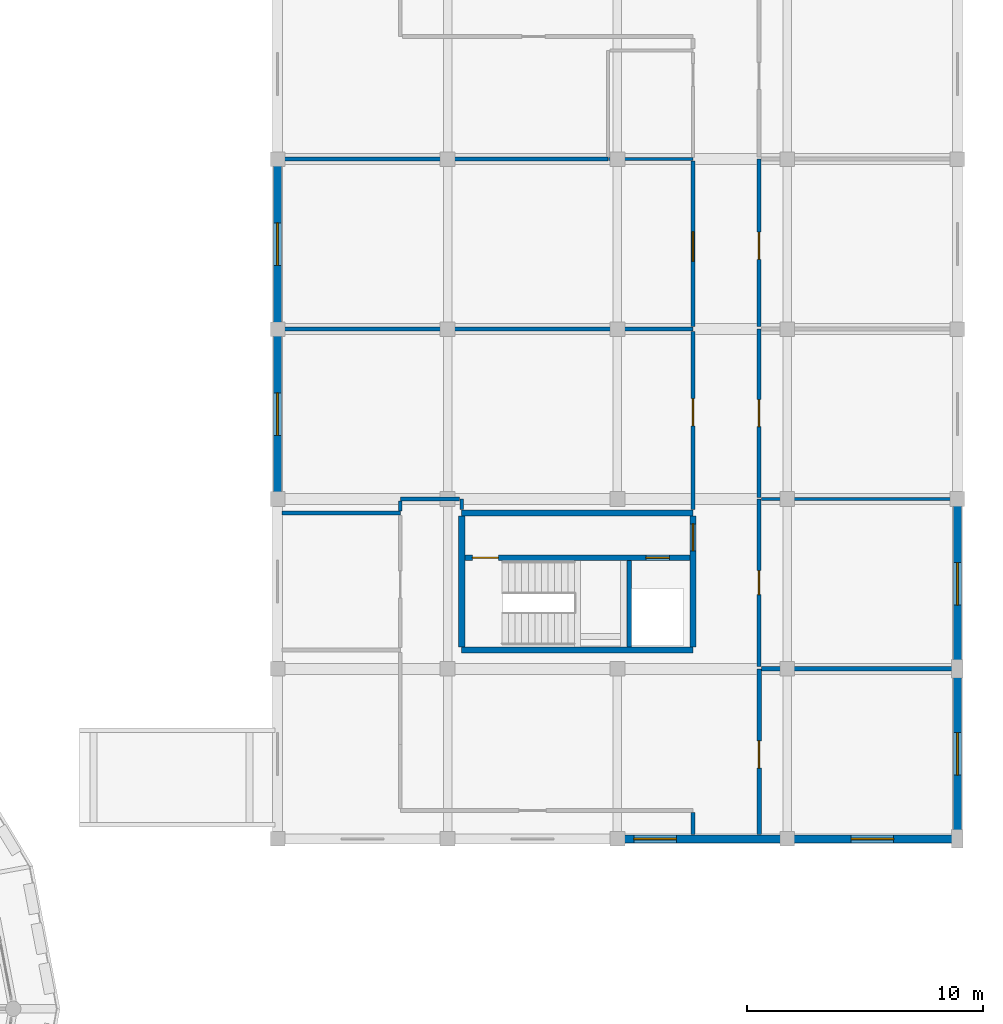
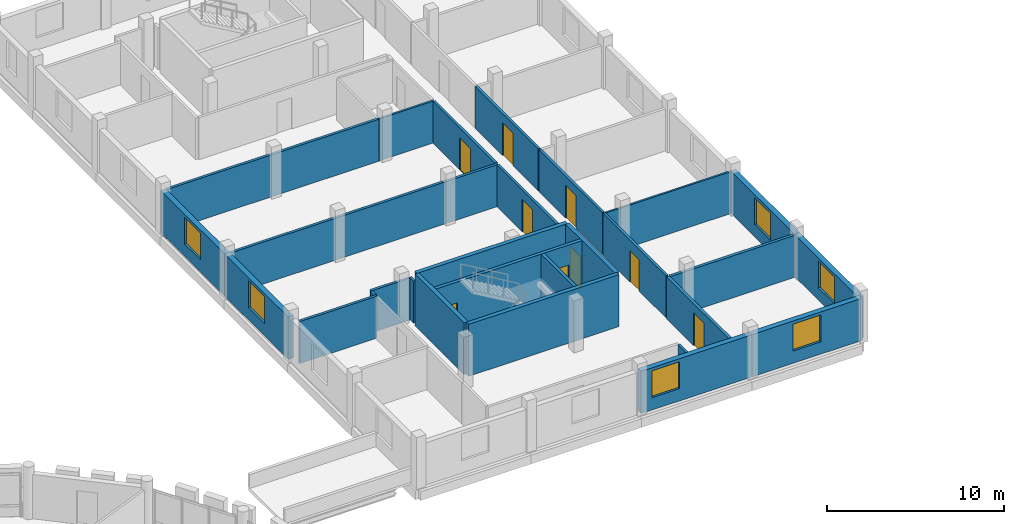
# One storey, part 82 of 93: 28 walls, 9 doors, 6 windows, 15 openings.
"""IFC4 building model written with IfcOpenShell, lengths in metres."""

from ifc_helpers import new_model, si_unit, direction, frame, frame_2d, origin, place, context, subcontext, project, spatial, rectangle, extrude, material, layer, layer_set, type_object, element, fill, save


model = new_model("IFC4")

# Units and contexts
model_context = context("Model", 3, precision=1e-05, world=origin(), true_north=direction((0.0, 1.0)))
body_context = subcontext(model_context, "Body", "Model", "MODEL_VIEW")
ifc_project = project(units=[si_unit("LENGTHUNIT", "METRE"), si_unit("AREAUNIT", "SQUARE_METRE"), si_unit("VOLUMEUNIT", "CUBIC_METRE"), si_unit("PLANEANGLEUNIT", "RADIAN"), si_unit("MASSUNIT", "GRAM", prefix="KILO")], contexts=[model_context])

# Site, building, storey
site_placement = place(None, origin())
site = spatial("IfcSite", under=ifc_project, at=site_placement, CompositionType="ELEMENT")
building_placement = place(site_placement, origin())
building = spatial("IfcBuilding", under=site, at=building_placement, Name="Zornivar Specialist Clinic", CompositionType="ELEMENT")
storey_placement = place(building_placement, frame((0.0, 0.0, 8.39990234375)))
storey = spatial("IfcBuildingStorey", under=building, at=storey_placement, Name="L02", CompositionType="ELEMENT", Elevation=8.39990234375)

# Wall, opening, window
ifc_material_1 = material(Name="Masonry Laboratory Terracotta and Stone Cavity Wall", Category="masonry")
ifc_layer_1 = layer(ifc_material_1, 0.340087890625)
ifc_layer_set_1 = layer_set([ifc_layer_1], Name="Masonry Laboratory Terracotta and Stone Cavity Wall")
wall_type_1 = type_object("IfcWallType", Name="EW-LAB-340", PredefinedType="SOLIDWALL", material=ifc_layer_set_1)
wall_1_placement = place(storey_placement, frame((151.199951171875, 64.800048828125, 0.0), z_axis=(0.0, 0.0, 1.0), x_axis=(1.0, 0.0, 0.0)))
wall_1 = element("IfcWall", 1, at=wall_1_placement, inside=storey, type_object=wall_type_1, Name="ew:V6:L02:02", PredefinedType="SOLIDWALL", context=body_context, shape_type="SweptSolid", body=[
    extrude(rectangle(XDim=7.199951171875, YDim=0.340087890625, at=frame_2d((3.60009765625, 0.0))), origin(), (0.0, 0.0, 1.0), 2.91015625),
])
opening_1_placement = place(wall_1_placement, frame((0.699951171875, 0.0, 0.85009765625)))
opening_1 = element("IfcOpeningElement", 2, at=opening_1_placement, cuts=wall_1, Name="Opening W-20", PredefinedType="OPENING", context=body_context, shape_type="SweptSolid", body=[
    extrude(rectangle(XDim=1.800048828125, YDim=1.85009765625, at=frame_2d((0.89990234375, 0.925048828125))), frame((0.0, 0.179931640625, 0.0), z_axis=(0.0, -1.0, 0.0), x_axis=(1.0, 0.0, 0.0)), (0.0, 0.0, 1.0), 0.360107421875),
])
ifc_material_2 = material(Name="Triple-Glazed Aluminium-Timber Window Glass", Category="wood")
window_type = type_object("IfcWindowType", Name="WIN-LAB-LOWER-1800x1850", PartitioningType="SINGLE_PANEL", PredefinedType="WINDOW", material=ifc_material_2)
window_1_placement = place(opening_1_placement, origin())
window_1 = element("IfcWindow", 3, at=window_1_placement, inside=storey, type_object=window_type, Name="win:V6:L02:02", OverallHeight=1.85009765625, OverallWidth=1.800048828125, PartitioningType="SINGLE_PANEL", PredefinedType="WINDOW", context=body_context, shape_type="SweptSolid", body=[
    extrude(rectangle(XDim=1.800048828125, YDim=1.85009765625, at=frame_2d((0.89990234375, 0.925048828125))), frame((0.0, 0.030029296875, 0.0), z_axis=(0.0, -1.0, 0.0), x_axis=(1.0, 0.0, 0.0)), (0.0, 0.0, 1.0), 0.06005859375),
])
fill(opening_1, window_1)

wall_2_placement = place(storey_placement, frame((158.39990234375, 64.800048828125, 0.0), z_axis=(0.0, 0.0, 1.0), x_axis=(1.0, 0.0, 0.0)))
wall_2 = element("IfcWall", 4, at=wall_2_placement, inside=storey, type_object=wall_type_1, Name="ew:V6:L02:03", PredefinedType="SOLIDWALL", context=body_context, shape_type="SweptSolid", body=[
    extrude(rectangle(XDim=7.2001953125, YDim=0.340087890625, at=frame_2d((3.60009765625, 0.0))), origin(), (0.0, 0.0, 1.0), 2.91015625),
])
opening_2_placement = place(wall_2_placement, frame((2.699951171875, 0.0, 0.85009765625)))
opening_2 = element("IfcOpeningElement", 5, at=opening_2_placement, cuts=wall_2, Name="Opening W-20", PredefinedType="OPENING", context=body_context, shape_type="SweptSolid", body=[
    extrude(rectangle(XDim=1.800048828125, YDim=1.85009765625, at=frame_2d((0.89990234375, 0.925048828125))), frame((0.0, 0.179931640625, 0.0), z_axis=(0.0, -1.0, 0.0), x_axis=(1.0, 0.0, 0.0)), (0.0, 0.0, 1.0), 0.360107421875),
])
window_2_placement = place(opening_2_placement, origin())
window_2 = element("IfcWindow", 6, at=window_2_placement, inside=storey, type_object=window_type, Name="win:V6:L02:03", OverallHeight=1.85009765625, OverallWidth=1.800048828125, PartitioningType="SINGLE_PANEL", PredefinedType="WINDOW", context=body_context, shape_type="SweptSolid", body=[
    extrude(rectangle(XDim=1.800048828125, YDim=1.85009765625, at=frame_2d((0.89990234375, 0.925048828125))), frame((0.0, 0.030029296875, 0.0), z_axis=(0.0, -1.0, 0.0), x_axis=(1.0, 0.0, 0.0)), (0.0, 0.0, 1.0), 0.06005859375),
])
fill(opening_2, window_2)

wall_3_placement = place(storey_placement, frame((165.60009765625, 64.800048828125, 0.0), z_axis=(0.0, 0.0, 1.0), x_axis=(0.0, 1.0, 0.0)))
wall_3 = element("IfcWall", 7, at=wall_3_placement, inside=storey, type_object=wall_type_1, Name="ew:V6:L02:04", PredefinedType="SOLIDWALL", context=body_context, shape_type="SweptSolid", body=[
    extrude(rectangle(XDim=7.199951171875, YDim=0.340087890625, at=frame_2d((3.60009765625, 0.0))), origin(), (0.0, 0.0, 1.0), 2.91015625),
])
opening_3_placement = place(wall_3_placement, frame((2.699951171875, 0.0, 0.85009765625)))
opening_3 = element("IfcOpeningElement", 8, at=opening_3_placement, cuts=wall_3, Name="Opening W-20", PredefinedType="OPENING", context=body_context, shape_type="SweptSolid", body=[
    extrude(rectangle(XDim=1.800048828125, YDim=1.85009765625, at=frame_2d((0.89990234375, 0.925048828125))), frame((0.0, 0.179931640625, 0.0), z_axis=(0.0, -1.0, 0.0), x_axis=(1.0, 0.0, 0.0)), (0.0, 0.0, 1.0), 0.360107421875),
])
window_3_placement = place(opening_3_placement, origin())
window_3 = element("IfcWindow", 9, at=window_3_placement, inside=storey, type_object=window_type, Name="win:V6:L02:04", OverallHeight=1.85009765625, OverallWidth=1.800048828125, PartitioningType="SINGLE_PANEL", PredefinedType="WINDOW", context=body_context, shape_type="SweptSolid", body=[
    extrude(rectangle(XDim=1.800048828125, YDim=1.85009765625, at=frame_2d((0.89990234375, 0.925048828125))), frame((0.0, 0.030029296875, 0.0), z_axis=(0.0, -1.0, 0.0), x_axis=(1.0, 0.0, 0.0)), (0.0, 0.0, 1.0), 0.06005859375),
])
fill(opening_3, window_3)

wall_4_placement = place(storey_placement, frame((165.60009765625, 72.0, 0.0), z_axis=(0.0, 0.0, 1.0), x_axis=(0.0, 1.0, 0.0)))
wall_4 = element("IfcWall", 10, at=wall_4_placement, inside=storey, type_object=wall_type_1, Name="ew:V6:L02:05", PredefinedType="SOLIDWALL", context=body_context, shape_type="SweptSolid", body=[
    extrude(rectangle(XDim=7.199951171875, YDim=0.340087890625, at=frame_2d((3.60009765625, 0.0))), origin(), (0.0, 0.0, 1.0), 2.91015625),
])
opening_4_placement = place(wall_4_placement, frame((2.699951171875, 0.0, 0.85009765625)))
opening_4 = element("IfcOpeningElement", 11, at=opening_4_placement, cuts=wall_4, Name="Opening W-20", PredefinedType="OPENING", context=body_context, shape_type="SweptSolid", body=[
    extrude(rectangle(XDim=1.800048828125, YDim=1.85009765625, at=frame_2d((0.89990234375, 0.925048828125))), frame((0.0, 0.179931640625, 0.0), z_axis=(0.0, -1.0, 0.0), x_axis=(1.0, 0.0, 0.0)), (0.0, 0.0, 1.0), 0.360107421875),
])
window_4_placement = place(opening_4_placement, origin())
window_4 = element("IfcWindow", 12, at=window_4_placement, inside=storey, type_object=window_type, Name="win:V6:L02:05", OverallHeight=1.85009765625, OverallWidth=1.800048828125, PartitioningType="SINGLE_PANEL", PredefinedType="WINDOW", context=body_context, shape_type="SweptSolid", body=[
    extrude(rectangle(XDim=1.800048828125, YDim=1.85009765625, at=frame_2d((0.89990234375, 0.925048828125))), frame((0.0, 0.030029296875, 0.0), z_axis=(0.0, -1.0, 0.0), x_axis=(1.0, 0.0, 0.0)), (0.0, 0.0, 1.0), 0.06005859375),
])
fill(opening_4, window_4)

wall_5_placement = place(storey_placement, frame((136.800048828125, 93.60009765625, 0.0), z_axis=(0.0, 0.0, 1.0), x_axis=(0.0, -1.0, 0.0)))
wall_5 = element("IfcWall", 13, at=wall_5_placement, inside=storey, type_object=wall_type_1, Name="ew:V6:L02:18", PredefinedType="SOLIDWALL", context=body_context, shape_type="SweptSolid", body=[
    extrude(rectangle(XDim=7.2001953125, YDim=0.340087890625, at=frame_2d((3.60009765625, 0.0))), origin(), (0.0, 0.0, 1.0), 2.91015625),
])
opening_5_placement = place(wall_5_placement, frame((2.699951171875, 0.0, 0.85009765625)))
opening_5 = element("IfcOpeningElement", 14, at=opening_5_placement, cuts=wall_5, Name="Opening W-20", PredefinedType="OPENING", context=body_context, shape_type="SweptSolid", body=[
    extrude(rectangle(XDim=1.800048828125, YDim=1.85009765625, at=frame_2d((0.89990234375, 0.925048828125))), frame((0.0, 0.179931640625, 0.0), z_axis=(0.0, -1.0, 0.0), x_axis=(1.0, 0.0, 0.0)), (0.0, 0.0, 1.0), 0.360107421875),
])
window_5_placement = place(opening_5_placement, origin())
window_5 = element("IfcWindow", 15, at=window_5_placement, inside=storey, type_object=window_type, Name="win:V6:L02:18", OverallHeight=1.85009765625, OverallWidth=1.800048828125, PartitioningType="SINGLE_PANEL", PredefinedType="WINDOW", context=body_context, shape_type="SweptSolid", body=[
    extrude(rectangle(XDim=1.800048828125, YDim=1.85009765625, at=frame_2d((0.89990234375, 0.925048828125))), frame((0.0, 0.030029296875, 0.0), z_axis=(0.0, -1.0, 0.0), x_axis=(1.0, 0.0, 0.0)), (0.0, 0.0, 1.0), 0.06005859375),
])
fill(opening_5, window_5)

wall_6_placement = place(storey_placement, frame((136.800048828125, 86.39990234375, 0.0), z_axis=(0.0, 0.0, 1.0), x_axis=(0.0, -1.0, 0.0)))
wall_6 = element("IfcWall", 16, at=wall_6_placement, inside=storey, type_object=wall_type_1, Name="ew:V6:L02:19", PredefinedType="SOLIDWALL", context=body_context, shape_type="SweptSolid", body=[
    extrude(rectangle(XDim=7.199951171875, YDim=0.340087890625, at=frame_2d((3.60009765625, 0.0))), origin(), (0.0, 0.0, 1.0), 2.91015625),
])
opening_6_placement = place(wall_6_placement, frame((2.699951171875, 0.0, 0.85009765625)))
opening_6 = element("IfcOpeningElement", 17, at=opening_6_placement, cuts=wall_6, Name="Opening W-20", PredefinedType="OPENING", context=body_context, shape_type="SweptSolid", body=[
    extrude(rectangle(XDim=1.800048828125, YDim=1.85009765625, at=frame_2d((0.89990234375, 0.925048828125))), frame((0.0, 0.179931640625, 0.0), z_axis=(0.0, -1.0, 0.0), x_axis=(1.0, 0.0, 0.0)), (0.0, 0.0, 1.0), 0.360107421875),
])
window_6_placement = place(opening_6_placement, origin())
window_6 = element("IfcWindow", 18, at=window_6_placement, inside=storey, type_object=window_type, Name="win:V6:L02:19", OverallHeight=1.85009765625, OverallWidth=1.800048828125, PartitioningType="SINGLE_PANEL", PredefinedType="WINDOW", context=body_context, shape_type="SweptSolid", body=[
    extrude(rectangle(XDim=1.800048828125, YDim=1.85009765625, at=frame_2d((0.89990234375, 0.925048828125))), frame((0.0, 0.030029296875, 0.0), z_axis=(0.0, -1.0, 0.0), x_axis=(1.0, 0.0, 0.0)), (0.0, 0.0, 1.0), 0.06005859375),
])
fill(opening_6, window_6)

# Walls
ifc_material_3 = material(Name="Gypsum Fire-Rated Double Stud Partition")
ifc_layer_2 = layer(ifc_material_3, 0.159912109375)
ifc_layer_set_2 = layer_set([ifc_layer_2], Name="Gypsum Fire-Rated Double Stud Partition")
wall_type_2 = type_object("IfcWallType", Name="IW-CORR-EI60-160", PredefinedType="PARTITIONING", material=ifc_layer_set_2)
wall_7_placement = place(storey_placement, frame((154.39990234375, 65.906005859375, 0.0), z_axis=(0.0, 0.0, 1.0), x_axis=(0.0, -1.0, 0.0)))
element("IfcWall", 19, at=wall_7_placement, inside=storey, type_object=wall_type_2, Name="iw:L02:134", PredefinedType="PARTITIONING", context=body_context, shape_type="SweptSolid", body=[
    extrude(rectangle(XDim=0.9208984375, YDim=0.159912109375, at=frame_2d((0.46044921875, 0.0))), origin(), (0.0, 0.0, 1.0), 2.89013671875),
])
wall_8_placement = place(storey_placement, frame((144.60009765625, 78.7451171875, 0.0), z_axis=(0.0, 0.0, 1.0), x_axis=(0.0, 1.0, 0.0)))
element("IfcWall", 20, at=wall_8_placement, inside=storey, type_object=wall_type_2, Name="iw:L02:140", PredefinedType="PARTITIONING", context=body_context, shape_type="SweptSolid", body=[
    extrude(rectangle(XDim=0.454833984375, YDim=0.159912109375, at=frame_2d((0.2275390625, 0.0))), origin(), (0.0, 0.0, 1.0), 2.89013671875),
])
wall_9_placement = place(storey_placement, frame((144.506103515625, 79.199951171875, 0.0), z_axis=(0.0, 0.0, 1.0), x_axis=(-1.0, 0.0, 0.0)))
element("IfcWall", 21, at=wall_9_placement, inside=storey, type_object=wall_type_2, Name="iw:L02:141", PredefinedType="PARTITIONING", context=body_context, shape_type="SweptSolid", body=[
    extrude(rectangle(XDim=2.506103515625, YDim=0.159912109375, at=frame_2d((1.2529296875, 0.0))), origin(), (0.0, 0.0, 1.0), 2.89013671875),
])
wall_10_placement = place(storey_placement, frame((142.0, 79.10595703125, 0.0), z_axis=(0.0, 0.0, 1.0), x_axis=(0.0, -1.0, 0.0)))
element("IfcWall", 22, at=wall_10_placement, inside=storey, type_object=wall_type_2, Name="iw:L02:142", PredefinedType="PARTITIONING", context=body_context, shape_type="SweptSolid", body=[
    extrude(rectangle(XDim=0.406982421875, YDim=0.159912109375, at=frame_2d((0.20361328125, 0.0))), origin(), (0.0, 0.0, 1.0), 2.89013671875),
])

# Wall, opening, door
wall_11_placement = place(storey_placement, frame((154.39990234375, 86.301025390625, 0.0), z_axis=(0.0, 0.0, 1.0), x_axis=(0.0, -1.0, 0.0)))
wall_11 = element("IfcWall", 23, at=wall_11_placement, inside=storey, type_object=wall_type_2, Name="iw:L02:144", PredefinedType="PARTITIONING", context=body_context, shape_type="SweptSolid", body=[
    extrude(rectangle(XDim=7.555908203125, YDim=0.159912109375, at=frame_2d((3.77783203125, 0.0))), origin(), (0.0, 0.0, 1.0), 2.89013671875),
])
opening_7_placement = place(wall_11_placement, frame((2.847900390625, 0.0, 0.0)))
opening_7 = element("IfcOpeningElement", 24, at=opening_7_placement, cuts=wall_11, Name="Opening ID-06", PredefinedType="OPENING", context=body_context, shape_type="SweptSolid", body=[
    extrude(rectangle(XDim=1.14990234375, YDim=2.25, at=frame_2d((0.574951171875, 1.125))), frame((0.0, 0.08984375, 0.0), z_axis=(0.0, -1.0, 0.0), x_axis=(1.0, 0.0, 0.0)), (0.0, 0.0, 1.0), 0.179931640625),
])
ifc_material_4 = material(Name="Solid-Core Hygienic Laminate Timber Door", Category="wood")
door_type_1 = type_object("IfcDoorType", Name="ID-LAB-1150x2250", OperationType="NOTDEFINED", PredefinedType="DOOR", material=ifc_material_4)
door_1_placement = place(opening_7_placement, origin())
door_1 = element("IfcDoor", 25, at=door_1_placement, inside=storey, type_object=door_type_1, Name="door:space:V6:L02:rm:02", OperationType="SINGLE_SWING_RIGHT", OverallHeight=2.25, OverallWidth=1.14990234375, PredefinedType="DOOR", context=body_context, shape_type="SweptSolid", body=[
    extrude(rectangle(XDim=1.14990234375, YDim=2.25, at=frame_2d((0.574951171875, 1.125))), frame((0.0, 0.02490234375, 0.0), z_axis=(0.0, -1.0, 0.0), x_axis=(1.0, 0.0, 0.0)), (0.0, 0.0, 1.0), 0.050048828125),
])
fill(opening_7, door_1)

wall_12_placement = place(storey_placement, frame((154.39990234375, 93.52099609375, 0.0), z_axis=(0.0, 0.0, 1.0), x_axis=(0.0, -1.0, 0.0)))
wall_12 = element("IfcWall", 26, at=wall_12_placement, inside=storey, type_object=wall_type_2, Name="iw:L02:147", PredefinedType="PARTITIONING", context=body_context, shape_type="SweptSolid", body=[
    extrude(rectangle(XDim=7.02197265625, YDim=0.159912109375, at=frame_2d((3.510986328125, 0.0))), origin(), (0.0, 0.0, 1.0), 2.89013671875),
])
opening_8_placement = place(wall_12_placement, frame((3.0009765625, 0.0, 0.0)))
opening_8 = element("IfcOpeningElement", 27, at=opening_8_placement, cuts=wall_12, Name="Opening FD-06", PredefinedType="OPENING", context=body_context, shape_type="SweptSolid", body=[
    extrude(rectangle(XDim=1.25, YDim=2.199951171875, at=frame_2d((0.625, 1.10009765625))), frame((0.0, 0.08984375, 0.0), z_axis=(0.0, -1.0, 0.0), x_axis=(1.0, 0.0, 0.0)), (0.0, 0.0, 1.0), 0.179931640625),
])
ifc_material_5 = material(Name="Solid-Core Hygienic Laminate Timber Door", Category="wood")
door_type_2 = type_object("IfcDoorType", Name="FD-PHARM-GMP-1250x2200", OperationType="NOTDEFINED", PredefinedType="DOOR", material=ifc_material_5)
door_2_placement = place(opening_8_placement, origin())
door_2 = element("IfcDoor", 28, at=door_2_placement, inside=storey, type_object=door_type_2, Name="door:space:V6:L02:rm:03", OperationType="SINGLE_SWING_LEFT", OverallHeight=2.199951171875, OverallWidth=1.25, PredefinedType="DOOR", context=body_context, shape_type="SweptSolid", body=[
    extrude(rectangle(XDim=1.25, YDim=2.199951171875, at=frame_2d((0.625, 1.10009765625))), frame((0.0, 0.02490234375, 0.0), z_axis=(0.0, -1.0, 0.0), x_axis=(1.0, 0.0, 0.0)), (0.0, 0.0, 1.0), 0.050048828125),
])
fill(opening_8, door_2)

wall_13_placement = place(storey_placement, frame((157.199951171875, 72.10888671875, 0.0), z_axis=(0.0, 0.0, 1.0), x_axis=(0.0, 1.0, 0.0)))
wall_13 = element("IfcWall", 29, at=wall_13_placement, inside=storey, type_object=wall_type_2, Name="iw:L02:163", PredefinedType="PARTITIONING", context=body_context, shape_type="SweptSolid", body=[
    extrude(rectangle(XDim=7.091064453125, YDim=0.159912109375, at=frame_2d((3.54541015625, 0.0))), origin(), (0.0, 0.0, 1.0), 2.89013671875),
])
opening_9_placement = place(wall_13_placement, frame((3.035888671875, 0.0, 0.0)))
opening_9 = element("IfcOpeningElement", 30, at=opening_9_placement, cuts=wall_13, Name="Opening ID-14", PredefinedType="OPENING", context=body_context, shape_type="SweptSolid", body=[
    extrude(rectangle(XDim=1.02001953125, YDim=2.14990234375, at=frame_2d((0.510009765625, 1.074951171875))), frame((0.0, 0.08984375, 0.0), z_axis=(0.0, -1.0, 0.0), x_axis=(1.0, 0.0, 0.0)), (0.0, 0.0, 1.0), 0.179931640625),
])
ifc_material_6 = material(Name="Solid-Core Hygienic Laminate Timber Door", Category="wood")
door_type_3 = type_object("IfcDoorType", Name="ID-OFFICE-1020x2150", OperationType="NOTDEFINED", PredefinedType="DOOR", material=ifc_material_6)
door_3_placement = place(opening_9_placement, origin())
door_3 = element("IfcDoor", 31, at=door_3_placement, inside=storey, type_object=door_type_3, Name="door:space:V6:L02:rm:09", OperationType="SINGLE_SWING_LEFT", OverallHeight=2.14990234375, OverallWidth=1.02001953125, PredefinedType="DOOR", context=body_context, shape_type="SweptSolid", body=[
    extrude(rectangle(XDim=1.02001953125, YDim=2.14990234375, at=frame_2d((0.510009765625, 1.074951171875))), frame((0.0, 0.02490234375, 0.0), z_axis=(0.0, -1.0, 0.0), x_axis=(1.0, 0.0, 0.0)), (0.0, 0.0, 1.0), 0.050048828125),
])
fill(opening_9, door_3)

wall_14_placement = place(storey_placement, frame((157.199951171875, 79.27392578125, 0.0), z_axis=(0.0, 0.0, 1.0), x_axis=(0.0, 1.0, 0.0)))
wall_14 = element("IfcWall", 32, at=wall_14_placement, inside=storey, type_object=wall_type_2, Name="iw:L02:165", PredefinedType="PARTITIONING", context=body_context, shape_type="SweptSolid", body=[
    extrude(rectangle(XDim=7.1259765625, YDim=0.159912109375, at=frame_2d((3.56298828125, 0.0))), origin(), (0.0, 0.0, 1.0), 2.89013671875),
])
opening_10_placement = place(wall_14_placement, frame((2.988037109375, 0.0, 0.0)))
opening_10 = element("IfcOpeningElement", 33, at=opening_10_placement, cuts=wall_14, Name="Opening ID-06", PredefinedType="OPENING", context=body_context, shape_type="SweptSolid", body=[
    extrude(rectangle(XDim=1.14990234375, YDim=2.25, at=frame_2d((0.574951171875, 1.125))), frame((0.0, 0.08984375, 0.0), z_axis=(0.0, -1.0, 0.0), x_axis=(1.0, 0.0, 0.0)), (0.0, 0.0, 1.0), 0.179931640625),
])
door_4_placement = place(opening_10_placement, origin())
door_4 = element("IfcDoor", 34, at=door_4_placement, inside=storey, type_object=door_type_1, Name="door:space:V6:L02:rm:10", OperationType="SINGLE_SWING_RIGHT", OverallHeight=2.25, OverallWidth=1.14990234375, PredefinedType="DOOR", context=body_context, shape_type="SweptSolid", body=[
    extrude(rectangle(XDim=1.14990234375, YDim=2.25, at=frame_2d((0.574951171875, 1.125))), frame((0.0, 0.02490234375, 0.0), z_axis=(0.0, -1.0, 0.0), x_axis=(1.0, 0.0, 0.0)), (0.0, 0.0, 1.0), 0.050048828125),
])
fill(opening_10, door_4)

wall_15_placement = place(storey_placement, frame((157.199951171875, 86.4990234375, 0.0), z_axis=(0.0, 0.0, 1.0), x_axis=(0.0, 1.0, 0.0)))
wall_15 = element("IfcWall", 35, at=wall_15_placement, inside=storey, type_object=wall_type_2, Name="iw:L02:167", PredefinedType="PARTITIONING", context=body_context, shape_type="SweptSolid", body=[
    extrude(rectangle(XDim=7.10107421875, YDim=0.159912109375, at=frame_2d((3.550537109375, 0.0))), origin(), (0.0, 0.0, 1.0), 2.89013671875),
])
opening_11_placement = place(wall_15_placement, frame((2.85693359375, 0.0, 0.0)))
opening_11 = element("IfcOpeningElement", 36, at=opening_11_placement, cuts=wall_15, Name="Opening ID-06", PredefinedType="OPENING", context=body_context, shape_type="SweptSolid", body=[
    extrude(rectangle(XDim=1.14990234375, YDim=2.25, at=frame_2d((0.574951171875, 1.125))), frame((0.0, 0.08984375, 0.0), z_axis=(0.0, -1.0, 0.0), x_axis=(1.0, 0.0, 0.0)), (0.0, 0.0, 1.0), 0.179931640625),
])
door_5_placement = place(opening_11_placement, origin())
door_5 = element("IfcDoor", 37, at=door_5_placement, inside=storey, type_object=door_type_1, Name="door:space:V6:L02:rm:11", OperationType="SINGLE_SWING_LEFT", OverallHeight=2.25, OverallWidth=1.14990234375, PredefinedType="DOOR", context=body_context, shape_type="SweptSolid", body=[
    extrude(rectangle(XDim=1.14990234375, YDim=2.25, at=frame_2d((0.574951171875, 1.125))), frame((0.0, 0.02490234375, 0.0), z_axis=(0.0, -1.0, 0.0), x_axis=(1.0, 0.0, 0.0)), (0.0, 0.0, 1.0), 0.050048828125),
])
fill(opening_11, door_5)

# Walls
ifc_material_7 = material(Name="Acoustic Glazed Consultation Partition")
ifc_layer_3 = layer(ifc_material_7, 0.1201171875)
ifc_layer_set_3 = layer_set([ifc_layer_3], Name="Acoustic Glazed Consultation Partition")
wall_type_3 = type_object("IfcWallType", Name="IW-GLAZ-120", PredefinedType="PARTITIONING", material=ifc_layer_set_3)
wall_16_placement = place(storey_placement, frame((157.2939453125, 79.199951171875, 0.0), z_axis=(0.0, 0.0, 1.0), x_axis=(1.0, 0.0, 0.0)))
element("IfcWall", 38, at=wall_16_placement, inside=storey, type_object=wall_type_3, Name="iw:L02:164", PredefinedType="PARTITIONING", context=body_context, shape_type="SweptSolid", body=[
    extrude(rectangle(XDim=8.12109375, YDim=0.1201171875, at=frame_2d((4.060546875, 0.0))), origin(), (0.0, 0.0, 1.0), 2.89013671875),
])
ifc_material_8 = material(Name="Laboratory Chemical-Resistant Stud Partition")
ifc_layer_4 = layer(ifc_material_8, 0.169921875)
ifc_layer_set_4 = layer_set([ifc_layer_4], Name="Laboratory Chemical-Resistant Stud Partition")
wall_type_4 = type_object("IfcWallType", Name="IW-LAB-EI60-170", PredefinedType="PARTITIONING", material=ifc_layer_set_4)
wall_17_placement = place(storey_placement, frame((136.985107421875, 78.60009765625, 0.0), z_axis=(0.0, 0.0, 1.0), x_axis=(1.0, 0.0, 0.0)))
element("IfcWall", 39, at=wall_17_placement, inside=storey, type_object=wall_type_4, Name="iw:L02:138", PredefinedType="PARTITIONING", context=body_context, shape_type="SweptSolid", body=[
    extrude(rectangle(XDim=5.014892578125, YDim=0.169921875, at=frame_2d((2.50732421875, 0.0))), origin(), (0.0, 0.0, 1.0), 2.89013671875),
])
wall_18_placement = place(storey_placement, frame((136.985107421875, 86.39990234375, 0.0), z_axis=(0.0, 0.0, 1.0), x_axis=(1.0, 0.0, 0.0)))
element("IfcWall", 40, at=wall_18_placement, inside=storey, type_object=wall_type_4, Name="iw:L02:143", PredefinedType="PARTITIONING", context=body_context, shape_type="SweptSolid", body=[
    extrude(rectangle(XDim=17.414794921875, YDim=0.169921875, at=frame_2d((8.70751953125, 0.0))), origin(), (0.0, 0.0, 1.0), 2.89013671875),
])
wall_19_placement = place(storey_placement, frame((136.985107421875, 93.60009765625, 0.0), z_axis=(0.0, 0.0, 1.0), x_axis=(1.0, 0.0, 0.0)))
element("IfcWall", 41, at=wall_19_placement, inside=storey, type_object=wall_type_4, Name="iw:L02:145", PredefinedType="PARTITIONING", context=body_context, shape_type="SweptSolid", body=[
    extrude(rectangle(XDim=13.81494140625, YDim=0.169921875, at=frame_2d((6.907470703125, 0.0))), origin(), (0.0, 0.0, 1.0), 2.89013671875),
])

# Wall, opening, door
ifc_material_9 = material(Name="GMP Cleanroom Insulated Double Partition")
ifc_layer_5 = layer(ifc_material_9, 0.18994140625)
ifc_layer_set_5 = layer_set([ifc_layer_5], Name="GMP Cleanroom Insulated Double Partition")
wall_type_5 = type_object("IfcWallType", Name="IW-PHARM-GMP-190", PredefinedType="PARTITIONING", material=ifc_layer_set_5)
wall_20_placement = place(storey_placement, frame((157.199951171875, 64.985107421875, 0.0), z_axis=(0.0, 0.0, 1.0), x_axis=(0.0, 1.0, 0.0)))
wall_20 = element("IfcWall", 42, at=wall_20_placement, inside=storey, type_object=wall_type_5, Name="iw:L02:161", PredefinedType="PARTITIONING", context=body_context, shape_type="SweptSolid", body=[
    extrude(rectangle(XDim=7.014892578125, YDim=0.18994140625, at=frame_2d((3.50732421875, 0.0))), origin(), (0.0, 0.0, 1.0), 2.89013671875),
])
opening_12_placement = place(wall_20_placement, frame((2.81591796875, 0.0, 0.0)))
opening_12 = element("IfcOpeningElement", 43, at=opening_12_placement, cuts=wall_20, Name="Opening ID-06", PredefinedType="OPENING", context=body_context, shape_type="SweptSolid", body=[
    extrude(rectangle(XDim=1.14990234375, YDim=2.25, at=frame_2d((0.574951171875, 1.125))), frame((0.0, 0.10498046875, 0.0), z_axis=(0.0, -1.0, 0.0), x_axis=(1.0, 0.0, 0.0)), (0.0, 0.0, 1.0), 0.2099609375),
])
door_6_placement = place(opening_12_placement, origin())
door_6 = element("IfcDoor", 44, at=door_6_placement, inside=storey, type_object=door_type_1, Name="door:space:V6:L02:rm:08", OperationType="SINGLE_SWING_RIGHT", OverallHeight=2.25, OverallWidth=1.14990234375, PredefinedType="DOOR", context=body_context, shape_type="SweptSolid", body=[
    extrude(rectangle(XDim=1.14990234375, YDim=2.25, at=frame_2d((0.574951171875, 1.125))), frame((0.0, 0.02490234375, 0.0), z_axis=(0.0, -1.0, 0.0), x_axis=(1.0, 0.0, 0.0)), (0.0, 0.0, 1.0), 0.050048828125),
])
fill(opening_12, door_6)

# Walls
wall_21_placement = place(storey_placement, frame((157.30908203125, 72.0, 0.0), z_axis=(0.0, 0.0, 1.0), x_axis=(1.0, 0.0, 0.0)))
element("IfcWall", 45, at=wall_21_placement, inside=storey, type_object=wall_type_5, Name="iw:L02:162", PredefinedType="PARTITIONING", context=body_context, shape_type="SweptSolid", body=[
    extrude(rectangle(XDim=8.10595703125, YDim=0.18994140625, at=frame_2d((4.052978515625, 0.0))), origin(), (0.0, 0.0, 1.0), 2.89013671875),
])
ifc_material_10 = material(Name="Moisture-Resistant Sanitary Partition")
ifc_layer_6 = layer(ifc_material_10, 0.1298828125)
ifc_layer_set_6 = layer_set([ifc_layer_6], Name="Moisture-Resistant Sanitary Partition")
wall_type_6 = type_object("IfcWallType", Name="IW-WET-130", PredefinedType="PARTITIONING", material=ifc_layer_set_6)
wall_22_placement = place(storey_placement, frame((150.81201171875, 93.60009765625, 0.0), z_axis=(0.0, 0.0, 1.0), x_axis=(1.0, 0.0, 0.0)))
element("IfcWall", 46, at=wall_22_placement, inside=storey, type_object=wall_type_6, Name="iw:L02:146", PredefinedType="PARTITIONING", context=body_context, shape_type="SweptSolid", body=[
    extrude(rectangle(XDim=3.587890625, YDim=0.1298828125, at=frame_2d((1.7939453125, 0.0))), origin(), (0.0, 0.0, 1.0), 2.89013671875),
])
ifc_material_11 = material(Name="Concrete C35/45", Category="concrete")
ifc_layer_7 = layer(ifc_material_11, 0.260009765625)
ifc_layer_set_7 = layer_set([ifc_layer_7], Name="Concrete C35/45")
wall_type_7 = type_object("IfcWallType", Name="SW-CORE-260", PredefinedType="SHEAR", material=ifc_layer_set_7)
wall_23_placement = place(storey_placement, frame((144.60009765625, 72.800048828125, 0.0), z_axis=(0.0, 0.0, 1.0), x_axis=(1.0, 0.0, 0.0)))
element("IfcWall", 47, at=wall_23_placement, inside=storey, type_object=wall_type_7, Name="sw:C9:L02:w0", PredefinedType="SHEAR", context=body_context, shape_type="SweptSolid", body=[
    extrude(rectangle(XDim=9.7998046875, YDim=0.260009765625, at=frame_2d((4.89990234375, 0.0))), origin(), (0.0, 0.0, 1.0), 3.580078125),
])

# Wall, opening, door
wall_24_placement = place(storey_placement, frame((154.39990234375, 72.929931640625, 0.0), z_axis=(0.0, 0.0, 1.0), x_axis=(0.0, 1.0, 0.0)))
wall_24 = element("IfcWall", 48, at=wall_24_placement, inside=storey, type_object=wall_type_7, Name="sw:C9:L02:w1", PredefinedType="SHEAR", context=body_context, shape_type="SweptSolid", body=[
    extrude(rectangle(XDim=5.5400390625, YDim=0.260009765625, at=frame_2d((2.77001953125, 0.0))), origin(), (0.0, 0.0, 1.0), 3.580078125),
])
opening_13_placement = place(wall_24_placement, frame((4.070068359375, 0.0, 0.0)))
opening_13 = element("IfcOpeningElement", 49, at=opening_13_placement, cuts=wall_24, Name="Opening FD-03", PredefinedType="OPENING", context=body_context, shape_type="SweptSolid", body=[
    extrude(rectangle(XDim=1.14990234375, YDim=2.199951171875, at=frame_2d((0.574951171875, 1.10009765625))), frame((0.0, 0.139892578125, 0.0), z_axis=(0.0, -1.0, 0.0), x_axis=(1.0, 0.0, 0.0)), (0.0, 0.0, 1.0), 0.280029296875),
])
ifc_material_12 = material(Name="Solid-Core Hygienic Laminate Timber Door", Category="wood")
door_type_4 = type_object("IfcDoorType", Name="FD-LOBBY-UPPER-1150x2200", OperationType="NOTDEFINED", PredefinedType="DOOR", material=ifc_material_12)
door_7_placement = place(opening_13_placement, origin())
door_7 = element("IfcDoor", 50, at=door_7_placement, inside=storey, type_object=door_type_4, Name="door:C9:L02:lob", OperationType="SINGLE_SWING_RIGHT", OverallHeight=2.199951171875, OverallWidth=1.14990234375, PredefinedType="DOOR", context=body_context, shape_type="SweptSolid", body=[
    extrude(rectangle(XDim=1.14990234375, YDim=2.199951171875, at=frame_2d((0.574951171875, 1.10009765625))), frame((0.0, 0.02490234375, 0.0), z_axis=(0.0, -1.0, 0.0), x_axis=(1.0, 0.0, 0.0)), (0.0, 0.0, 1.0), 0.050048828125),
])
fill(opening_13, door_7)

# Walls
wall_25_placement = place(storey_placement, frame((154.39990234375, 78.60009765625, 0.0), z_axis=(0.0, 0.0, 1.0), x_axis=(-1.0, 0.0, 0.0)))
element("IfcWall", 51, at=wall_25_placement, inside=storey, type_object=wall_type_7, Name="sw:C9:L02:w2", PredefinedType="SHEAR", context=body_context, shape_type="SweptSolid", body=[
    extrude(rectangle(XDim=9.7998046875, YDim=0.260009765625, at=frame_2d((4.89990234375, 0.0))), origin(), (0.0, 0.0, 1.0), 3.580078125),
])
wall_26_placement = place(storey_placement, frame((144.60009765625, 78.469970703125, 0.0), z_axis=(0.0, 0.0, 1.0), x_axis=(0.0, -1.0, 0.0)))
element("IfcWall", 52, at=wall_26_placement, inside=storey, type_object=wall_type_7, Name="sw:C9:L02:w3", PredefinedType="SHEAR", context=body_context, shape_type="SweptSolid", body=[
    extrude(rectangle(XDim=5.5400390625, YDim=0.260009765625, at=frame_2d((2.77001953125, 0.0))), origin(), (0.0, 0.0, 1.0), 3.580078125),
])
ifc_material_13 = material(Name="Concrete C30/37", Category="concrete")
ifc_layer_8 = layer(ifc_material_13, 0.199951171875)
ifc_layer_set_8 = layer_set([ifc_layer_8], Name="Concrete C30/37")
wall_type_8 = type_object("IfcWallType", Name="SW-LIFT-200", PredefinedType="SHEAR", material=ifc_layer_set_8)
wall_27_placement = place(storey_placement, frame((151.699951171875, 72.929931640625, 0.0), z_axis=(0.0, 0.0, 1.0), x_axis=(0.0, 1.0, 0.0)))
element("IfcWall", 53, at=wall_27_placement, inside=storey, type_object=wall_type_8, Name="sw:C9:L02:sdiv", PredefinedType="SHEAR", context=body_context, shape_type="SweptSolid", body=[
    extrude(rectangle(XDim=3.670166015625, YDim=0.199951171875, at=frame_2d((1.8349609375, 0.0))), origin(), (0.0, 0.0, 1.0), 3.580078125),
])

# Wall, openings, doors
ifc_material_14 = material(Name="Concrete C30/37", Category="concrete")
ifc_layer_9 = layer(ifc_material_14, 0.219970703125)
ifc_layer_set_9 = layer_set([ifc_layer_9], Name="Concrete C30/37")
wall_type_9 = type_object("IfcWallType", Name="SW-SHAFT-220", PredefinedType="SHEAR", material=ifc_layer_set_9)
wall_28_placement = place(storey_placement, frame((144.72998046875, 76.7099609375, 0.0), z_axis=(0.0, 0.0, 1.0), x_axis=(1.0, 0.0, 0.0)))
wall_28 = element("IfcWall", 54, at=wall_28_placement, inside=storey, type_object=wall_type_9, Name="sw:C9:L02:stwall", PredefinedType="SHEAR", context=body_context, shape_type="SweptSolid", body=[
    extrude(rectangle(XDim=9.5400390625, YDim=0.219970703125, at=frame_2d((4.77001953125, 0.0))), origin(), (0.0, 0.0, 1.0), 3.580078125),
])
opening_14_placement = place(wall_28_placement, frame((0.320068359375, 0.0, 0.0)))
opening_14 = element("IfcOpeningElement", 55, at=opening_14_placement, cuts=wall_28, Name="Opening FD-02", PredefinedType="OPENING", context=body_context, shape_type="SweptSolid", body=[
    extrude(rectangle(XDim=1.10009765625, YDim=2.14990234375, at=frame_2d((0.550048828125, 1.074951171875))), frame((0.0, 0.119873046875, 0.0), z_axis=(0.0, -1.0, 0.0), x_axis=(1.0, 0.0, 0.0)), (0.0, 0.0, 1.0), 0.239990234375),
])
opening_15_placement = place(wall_28_placement, frame((7.669921875, 0.0, 0.0)))
opening_15 = element("IfcOpeningElement", 56, at=opening_15_placement, cuts=wall_28, Name="Opening LD-02", PredefinedType="OPENING", context=body_context, shape_type="SweptSolid", body=[
    extrude(rectangle(XDim=1.0, YDim=2.199951171875, at=frame_2d((0.5, 1.10009765625))), frame((0.0, 0.119873046875, 0.0), z_axis=(0.0, -1.0, 0.0), x_axis=(1.0, 0.0, 0.0)), (0.0, 0.0, 1.0), 0.239990234375),
])
ifc_material_15 = material(Name="Solid-Core Hygienic Laminate Timber Door", Category="wood")
door_type_5 = type_object("IfcDoorType", Name="FD-STAIR-1100x2150", OperationType="NOTDEFINED", PredefinedType="DOOR", material=ifc_material_15)
door_8_placement = place(opening_14_placement, origin())
door_8 = element("IfcDoor", 57, at=door_8_placement, inside=storey, type_object=door_type_5, Name="door:C9:L02:stair", OperationType="SINGLE_SWING_LEFT", OverallHeight=2.14990234375, OverallWidth=1.10009765625, PredefinedType="DOOR", context=body_context, shape_type="SweptSolid", body=[
    extrude(rectangle(XDim=1.10009765625, YDim=2.14990234375, at=frame_2d((0.550048828125, 1.074951171875))), frame((0.0, 0.02490234375, 0.0), z_axis=(0.0, -1.0, 0.0), x_axis=(1.0, 0.0, 0.0)), (0.0, 0.0, 1.0), 0.050048828125),
])
fill(opening_14, door_8)
ifc_material_16 = material(Name="Stainless Steel Lift Landing Sliding Door", Category="steel")
door_type_6 = type_object("IfcDoorType", Name="LD-LIFT-1000x2200", OperationType="NOTDEFINED", PredefinedType="DOOR", material=ifc_material_16)
door_9_placement = place(opening_15_placement, origin())
door_9 = element("IfcDoor", 58, at=door_9_placement, inside=storey, type_object=door_type_6, Name="door:C9:L02:lift", OperationType="DOUBLE_DOOR_SLIDING", OverallHeight=2.199951171875, OverallWidth=1.0, PredefinedType="DOOR", context=body_context, shape_type="SweptSolid", body=[
    extrude(rectangle(XDim=1.0, YDim=2.199951171875, at=frame_2d((0.5, 1.10009765625))), frame((0.0, 0.02490234375, 0.0), z_axis=(0.0, -1.0, 0.0), x_axis=(1.0, 0.0, 0.0)), (0.0, 0.0, 1.0), 0.050048828125),
])
fill(opening_15, door_9)

save(model, "model.ifc")
